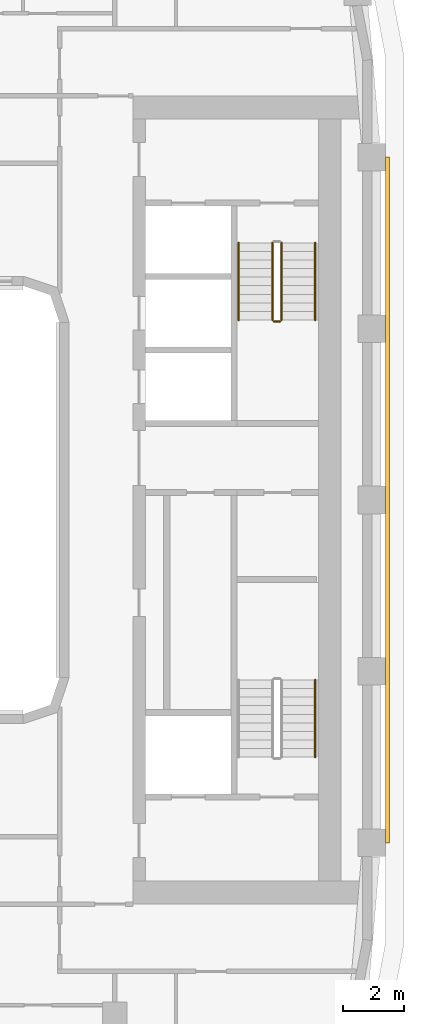
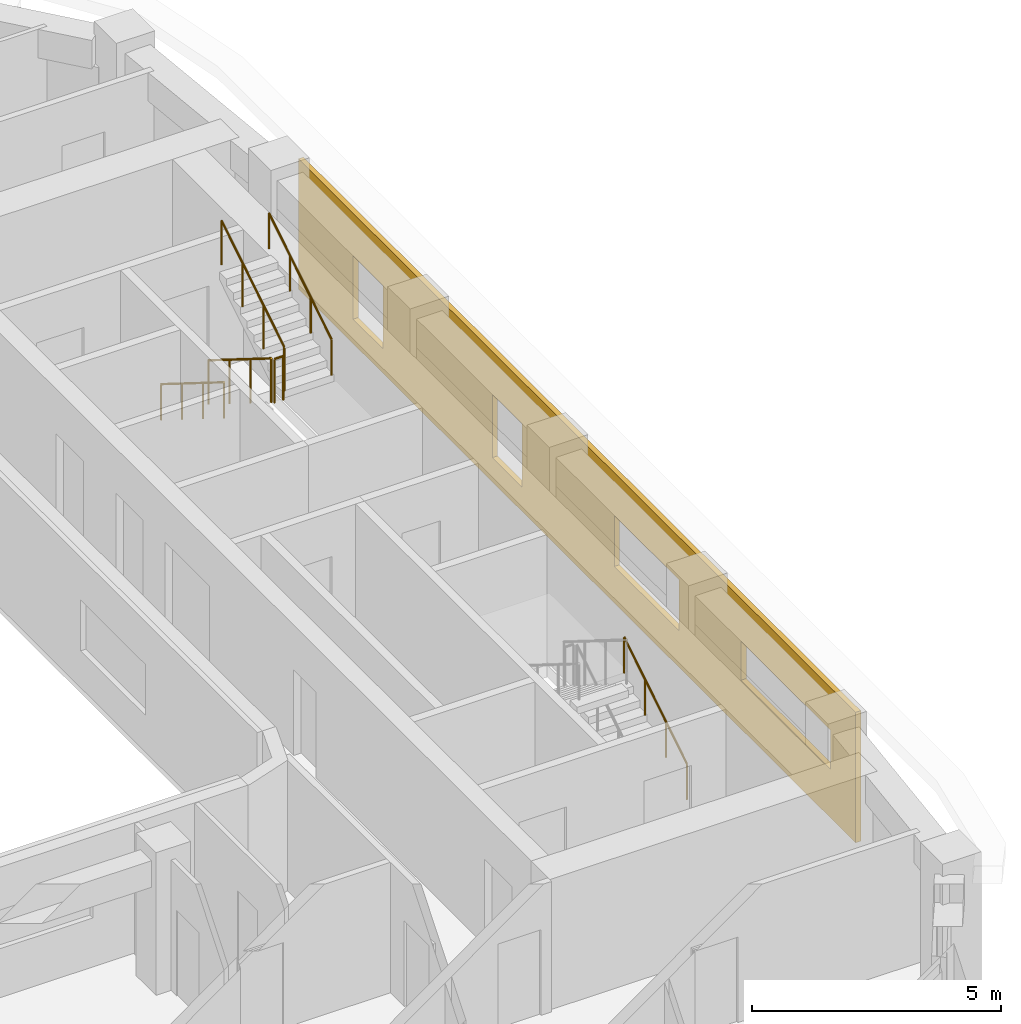
# One storey, part 17 of 20: 6 railings, 1 covering.
"""IFC4 building model written with IfcOpenShell, lengths in metres."""

from ifc_helpers import new_model, si_unit, direction, frame, origin, origin_2d, place, context, subcontext, project, spatial, polyline, circle, outline, extrude, material, layer, layer_set, type_object, element, save


model = new_model("IFC4")

# Units and contexts
model_context = context("Model", 3, precision=1e-05, world=origin(), true_north=direction((0.0, 1.0)))
body_context = subcontext(model_context, "Body", "Model", "MODEL_VIEW")
ifc_project = project(units=[si_unit("LENGTHUNIT", "METRE"), si_unit("AREAUNIT", "SQUARE_METRE"), si_unit("VOLUMEUNIT", "CUBIC_METRE"), si_unit("PLANEANGLEUNIT", "RADIAN"), si_unit("MASSUNIT", "GRAM", prefix="KILO")], contexts=[model_context])

# Site, building, storey
site_placement = place(None, origin())
site = spatial("IfcSite", under=ifc_project, at=site_placement, CompositionType="ELEMENT")
building_placement = place(site_placement, origin())
building = spatial("IfcBuilding", under=site, at=building_placement, Name="Kiln Ring Residences", CompositionType="ELEMENT")
storey_placement = place(building_placement, frame((0.0, 0.0, 206.39990234375)))
storey = spatial("IfcBuildingStorey", under=building, at=storey_placement, Name="L53", CompositionType="ELEMENT", Elevation=206.39990234375)

# Railings
ifc_material_1 = material(Name="Stainless steel", Category="steel")
railing_type_1 = type_object("IfcRailingType", Name="CORE-STAIR-GUARD", PredefinedType="GUARDRAIL", material=ifc_material_1)
railing_1_placement = place(storey_placement, frame((21.949951171875, 8.39990234375, 0.175048828125)))
element("IfcRailing", 1, at=railing_1_placement, inside=storey, type_object=railing_type_1, Name="L53 E-STN stair guard 1", PredefinedType="GUARDRAIL", context=body_context, shape_type="SweptSolid", body=[
    extrude(circle(Radius=0.02392578125, at=origin_2d()), frame((0.0, 0.0, 1.076171875), z_axis=(0.0, -0.848007534815, 0.529984170421), x_axis=(1.0, 0.0, 0.0)), (0.0, 0.0, 1.0), 2.9716796875),
    extrude(circle(Radius=0.02099609375, at=origin_2d()), origin(), (0.0, 0.0, 1.0), 1.052001953125),
    extrude(circle(Radius=0.02099609375, at=origin_2d()), frame((0.0, -0.840087890625, 0.52490234375)), (0.0, 0.0, 1.0), 1.052001953125),
    extrude(circle(Radius=0.02099609375, at=origin_2d()), frame((0.0, -1.679931640625, 1.050048828125)), (0.0, 0.0, 1.0), 1.052001953125),
    extrude(circle(Radius=0.02099609375, at=origin_2d()), frame((0.0, -2.52001953125, 1.574951171875)), (0.0, 0.0, 1.0), 1.052001953125),
])
railing_2_placement = place(storey_placement, frame((22.0, 5.830078125, 1.75)))
element("IfcRailing", 2, at=railing_2_placement, inside=storey, type_object=railing_type_1, Name="L53 E-STN stair guard 2", PredefinedType="GUARDRAIL", context=body_context, shape_type="SweptSolid", body=[
    extrude(circle(Radius=0.02392578125, at=origin_2d()), frame((0.0, 0.0, 1.076171875), z_axis=(1.0, 0.0, 0.0), x_axis=(0.0, 1.0, 0.0)), (0.0, 0.0, 1.0), 0.199951171875),
    extrude(circle(Radius=0.02099609375, at=origin_2d()), origin(), (0.0, 0.0, 1.0), 1.052001953125),
    extrude(circle(Radius=0.02099609375, at=origin_2d()), frame((0.199951171875, 0.0, 0.0)), (0.0, 0.0, 1.0), 1.052001953125),
])
railing_3_placement = place(storey_placement, frame((22.25, 5.8798828125, 1.925048828125)))
element("IfcRailing", 3, at=railing_3_placement, inside=storey, type_object=railing_type_1, Name="L53 E-STN stair guard 3", PredefinedType="GUARDRAIL", context=body_context, shape_type="SweptSolid", body=[
    extrude(circle(Radius=0.02392578125, at=origin_2d()), frame((0.0, 0.0, 1.076171875), z_axis=(0.0, 0.848007534815, 0.529984170421), x_axis=(-1.0, 0.0, 0.0)), (0.0, 0.0, 1.0), 2.9716796875),
    extrude(circle(Radius=0.02099609375, at=origin_2d()), origin(), (0.0, 0.0, 1.0), 1.052001953125),
    extrude(circle(Radius=0.02099609375, at=origin_2d()), frame((0.0, 0.840087890625, 0.52490234375)), (0.0, 0.0, 1.0), 1.052001953125),
    extrude(circle(Radius=0.02099609375, at=origin_2d()), frame((0.0, 1.679931640625, 1.050048828125)), (0.0, 0.0, 1.0), 1.052001953125),
    extrude(circle(Radius=0.02099609375, at=origin_2d()), frame((0.0, 2.52001953125, 1.574951171875)), (0.0, 0.0, 1.0), 1.052001953125),
])
ifc_material_2 = material(Name="Stainless steel", Category="steel")
railing_type_2 = type_object("IfcRailingType", Name="CORE-STAIR-HANDRAIL", PredefinedType="HANDRAIL", material=ifc_material_2)
railing_4_placement = place(storey_placement, frame((20.85009765625, 8.39990234375, 0.175048828125)))
element("IfcRailing", 4, at=railing_4_placement, inside=storey, type_object=railing_type_2, Name="L53 E-STN stair handrail 1", PredefinedType="HANDRAIL", context=body_context, shape_type="SweptSolid", body=[
    extrude(circle(Radius=0.02392578125, at=origin_2d()), frame((0.0, 0.0, 0.8759765625), z_axis=(0.0, -0.848007534815, 0.529984170421), x_axis=(1.0, 0.0, 0.0)), (0.0, 0.0, 1.0), 2.9716796875),
    extrude(circle(Radius=0.02099609375, at=origin_2d()), origin(), (0.0, 0.0, 1.0), 0.851806640625),
    extrude(circle(Radius=0.02099609375, at=origin_2d()), frame((0.0, -0.840087890625, 0.52490234375)), (0.0, 0.0, 1.0), 0.851806640625),
    extrude(circle(Radius=0.02099609375, at=origin_2d()), frame((0.0, -1.679931640625, 1.050048828125)), (0.0, 0.0, 1.0), 0.851806640625),
    extrude(circle(Radius=0.02099609375, at=origin_2d()), frame((0.0, -2.52001953125, 1.574951171875)), (0.0, 0.0, 1.0), 0.851806640625),
])
for number, where, name in (
    (5, (23.35009765625, 5.8798828125, 1.925048828125), "L53 E-STN stair handrail 2"),
    (6, (23.35009765625, -8.39990234375, 0.175048828125), "L53 E-STS stair handrail 1"),
):
    element("IfcRailing", number, at=place(storey_placement, frame(where)), inside=storey, type_object=railing_type_2, Name=name, PredefinedType="HANDRAIL", context=body_context, shape_type="SweptSolid", body=[
        extrude(circle(Radius=0.02392578125, at=origin_2d()), frame((0.0, 0.0, 0.8759765625), z_axis=(0.0, 0.848007534815, 0.529984170421), x_axis=(-1.0, 0.0, 0.0)), (0.0, 0.0, 1.0), 2.9716796875),
        extrude(circle(Radius=0.02099609375, at=origin_2d()), origin(), (0.0, 0.0, 1.0), 0.851806640625),
        extrude(circle(Radius=0.02099609375, at=origin_2d()), frame((0.0, 0.840087890625, 0.52490234375)), (0.0, 0.0, 1.0), 0.851806640625),
        extrude(circle(Radius=0.02099609375, at=origin_2d()), frame((0.0, 1.679931640625, 1.050048828125)), (0.0, 0.0, 1.0), 0.851806640625),
        extrude(circle(Radius=0.02099609375, at=origin_2d()), frame((0.0, 2.52001953125, 1.574951171875)), (0.0, 0.0, 1.0), 0.851806640625),
    ])

# Covering
ifc_material_3 = material(Name="Brick masonry, dark clay brick", Category="masonry")
ifc_layer = layer(ifc_material_3, 0.1201171875)
ifc_layer_set = layer_set([ifc_layer], Name="RAINSCREEN PANEL 120")
covering_type = type_object("IfcCoveringType", Name="RAINSCREEN PANEL 120", PredefinedType="CLADDING", material=ifc_layer_set)
covering_placement = place(storey_placement, frame((25.7099609375, -11.199951171875, 0.0), z_axis=(0.0, 0.0, 1.0), x_axis=(0.0, 1.0, 0.0)))
element("IfcCovering", 7, at=covering_placement, inside=storey, type_object=covering_type, Name="RAINSCREEN L53", PredefinedType="CLADDING", context=body_context, shape_type="SweptSolid", body=[
    extrude(outline(polyline([(0.0, 0.0), (22.39990234375, 0.0), (22.39990234375, 3.2001953125), (0.0, 3.2001953125), (0.0, 0.0)]), holes=[polyline([(14.60009765625, 0.60009765625), (14.60009765625, 2.150146484375), (13.39990234375, 2.150146484375), (13.39990234375, 0.60009765625), (14.60009765625, 0.60009765625)]), polyline([(20.199951171875, 0.60009765625), (20.199951171875, 2.150146484375), (19.0, 2.150146484375), (19.0, 0.60009765625), (20.199951171875, 0.60009765625)]), polyline([(9.699951171875, 0.900146484375), (9.699951171875, 2.150146484375), (7.10009765625, 2.150146484375), (7.10009765625, 0.900146484375), (9.699951171875, 0.900146484375)]), polyline([(4.60009765625, 1.2001953125), (4.60009765625, 2.150146484375), (1.0, 2.150146484375), (1.0, 1.2001953125), (4.60009765625, 1.2001953125)])]), frame((0.0, 0.06005859375, 0.0), z_axis=(0.0, -1.0, 0.0), x_axis=(1.0, 0.0, 0.0)), (0.0, 0.0, 1.0), 0.1201171875),
])

save(model, "model.ifc")
